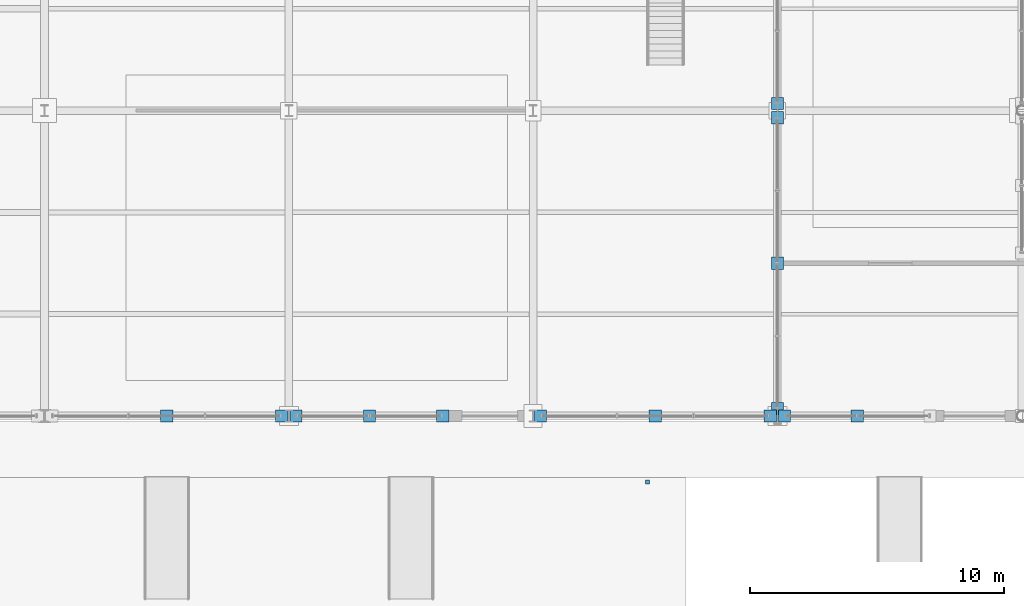
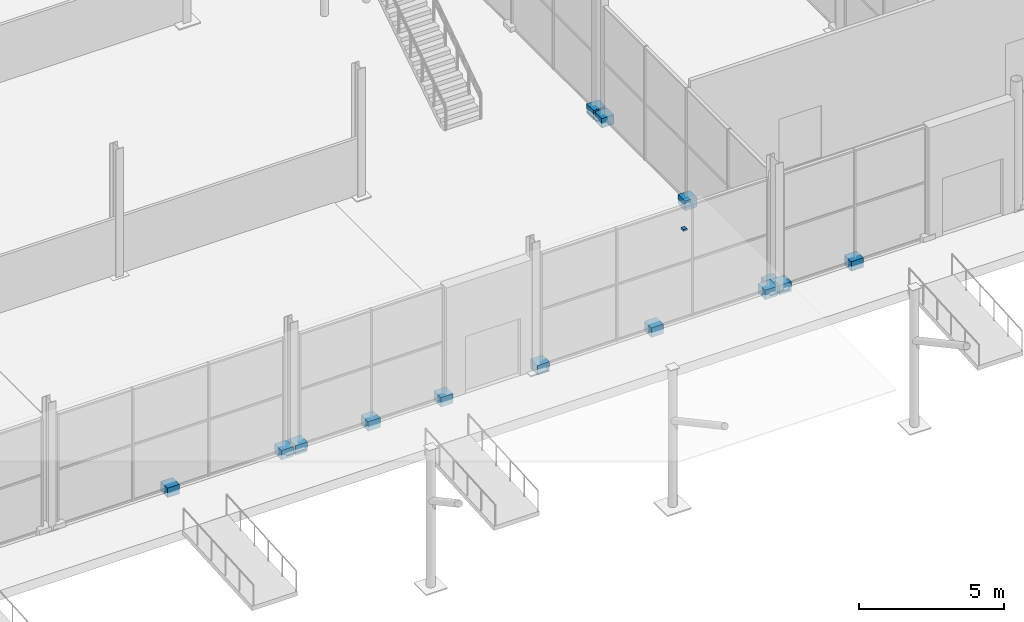
# One storey, part 181 of 196: 15 discrete accessories.
"""IFC4 building model written with IfcOpenShell, lengths in metres."""

from ifc_helpers import new_model, si_unit, direction, frame, origin, origin_2d, place, context, subcontext, project, spatial, rectangle, extrude, material, layer, layer_set, type_object, element, save


model = new_model("IFC4")

# Units and contexts
model_context = context("Model", 3, precision=1e-05, world=origin(), true_north=direction((0.0, 1.0)))
body_context = subcontext(model_context, "Body", "Model", "MODEL_VIEW")
ifc_project = project(units=[si_unit("LENGTHUNIT", "METRE"), si_unit("AREAUNIT", "SQUARE_METRE"), si_unit("VOLUMEUNIT", "CUBIC_METRE"), si_unit("PLANEANGLEUNIT", "RADIAN"), si_unit("MASSUNIT", "GRAM", prefix="KILO")], contexts=[model_context])

# Site, building, storey
site_placement = place(None, origin())
site = spatial("IfcSite", under=ifc_project, at=site_placement, CompositionType="ELEMENT")
building_placement = place(site_placement, origin())
building = spatial("IfcBuilding", under=site, at=building_placement, Name="Merenkruunu Market Hall", CompositionType="ELEMENT")
storey_placement = place(building_placement, origin())
storey = spatial("IfcBuildingStorey", under=building, at=storey_placement, Name="L00", CompositionType="ELEMENT", Elevation=0.0)

# Discrete accessories
ifc_material = material(Name="Brushed stainless steel", Category="steel")
ifc_layer = layer(ifc_material, 0.159912109375)
ifc_layer_set = layer_set([ifc_layer], Name="Brushed stainless steel")
discrete_accessory_type = type_object("IfcDiscreteAccessoryType", Name="Stainless Facade Support Bracket BRK01", PredefinedType="BRACKET", material=ifc_layer_set)
for number, where, z_axis, x_axis, name in (
    (1, (38.1201171875, 15.60009765625, -0.199951171875), (0.0, 0.0, 1.0), (1.0, 0.0, 0.0), "ACC-CWBRK-028-1"),
    (2, (33.60009765625, 15.60009765625, -0.199951171875), (0.0, 0.0, 1.0), (1.0, 0.0, 0.0), "ACC-CWBRK-028-2"),
    (3, (44.449951171875, 15.60009765625, -0.199951171875), (0.0, 0.0, 1.0), (1.0, 0.0, 0.0), "ACC-CWBRK-031-1"),
    (4, (41.56494140625, 15.60009765625, -0.199951171875), (0.0, 0.0, 1.0), (1.0, 0.0, 0.0), "ACC-CWBRK-031-2"),
    (5, (38.679931640625, 15.60009765625, -0.199951171875), (0.0, 0.0, 1.0), (1.0, 0.0, 0.0), "ACC-CWBRK-031-3"),
    (6, (57.320068359375, 15.60009765625, -0.199951171875), (0.0, 0.0, 1.0), (1.0, 0.0, 0.0), "ACC-CWBRK-034-1"),
    (7, (52.800048828125, 15.60009765625, -0.199951171875), (0.0, 0.0, 1.0), (1.0, 0.0, 0.0), "ACC-CWBRK-034-2"),
    (8, (48.280029296875, 15.60009765625, -0.199951171875), (0.0, 0.0, 1.0), (1.0, 0.0, 0.0), "ACC-CWBRK-034-3"),
    (9, (57.60009765625, 15.8798828125, -0.199951171875), (0.0, 0.0, 1.0), (1.0, 0.0, 0.0), "ACC-CWBRK-121-1"),
    (10, (57.60009765625, 21.60009765625, -0.199951171875), (0.0, 0.0, 1.0), (1.0, 0.0, 0.0), "ACC-CWBRK-121-2"),
    (11, (57.60009765625, 27.320068359375, -0.199951171875), (0.0, 0.0, 1.0), (1.0, 0.0, 0.0), "ACC-CWBRK-121-3"),
    (12, (57.60009765625, 27.8798828125, -0.199951171875), (0.0, 0.0, 1.0), (1.0, 0.0, 0.0), "ACC-CWBRK-124-1"),
    (13, (60.739990234375, 15.60009765625, -0.199951171875), (0.0, 0.0, 1.0), (1.0, 0.0, 0.0), "ACC-CWBRK-139-2"),
    (14, (57.8798828125, 15.60009765625, -0.199951171875), (0.0, 0.0, 1.0), (1.0, 0.0, 0.0), "ACC-CWBRK-139-3"),
):
    element("IfcDiscreteAccessory", number, at=place(storey_placement, frame(where, z_axis=z_axis, x_axis=x_axis)), inside=storey, type_object=discrete_accessory_type, Name=name, PredefinedType="BRACKET", context=body_context, shape_type="SweptSolid", body=[
        extrude(rectangle(XDim=0.47998046875, YDim=0.47998046875, at=origin_2d()), origin(), (0.0, 0.0, 1.0), 0.39990234375),
    ])
discrete_accessory_placement = place(storey_placement, frame((52.5, 13.0, 5.780029296875), z_axis=(0.0, 0.0, 1.0), x_axis=(1.0, 0.0, 0.0)))
element("IfcDiscreteAccessory", 15, at=discrete_accessory_placement, inside=storey, type_object=discrete_accessory_type, Name="ACC-CLGHNG-3-2", PredefinedType="BRACKET", context=body_context, shape_type="SweptSolid", body=[
    extrude(rectangle(XDim=0.159912109375, YDim=0.159912109375, at=origin_2d()), origin(), (0.0, 0.0, 1.0), 0.080078125),
])

save(model, "model.ifc")
